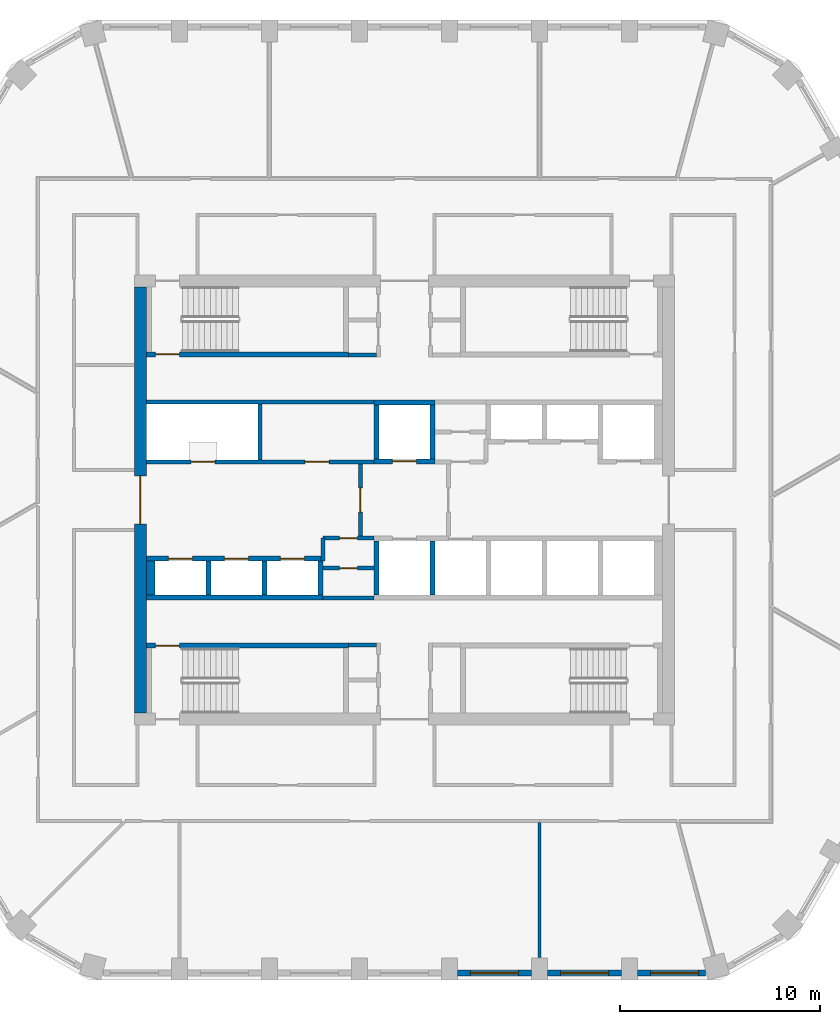
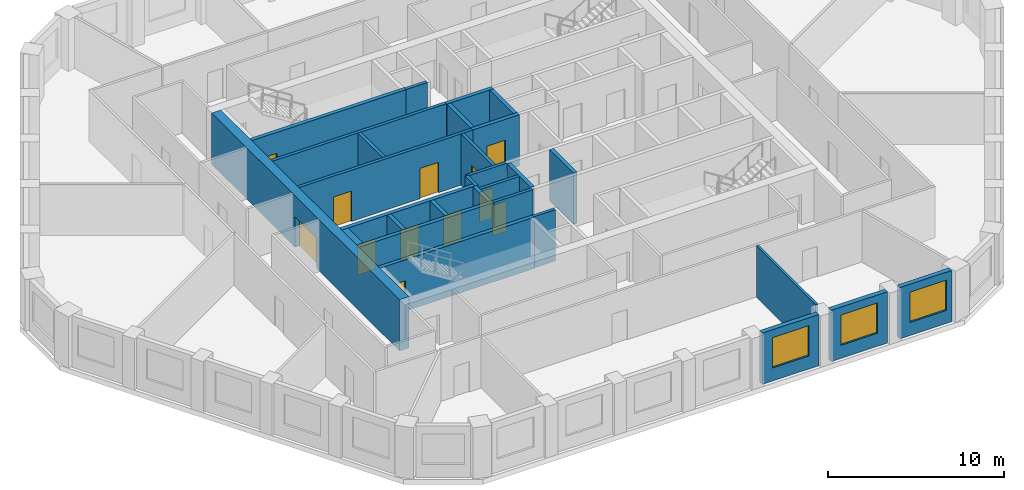
# One storey, part 3 of 13: 29 walls, 12 doors, 3 windows, 15 openings.
"""IFC4 building model written with IfcOpenShell, lengths in metres."""

from ifc_helpers import new_model, si_unit, direction, frame, frame_2d, origin, place, context, subcontext, project, spatial, polyline, rectangle, outline, extrude, material, layer, layer_set, type_object, element, fill, save


model = new_model("IFC4")

# Units and contexts
model_context = context("Model", 3, precision=1e-05, world=origin(), true_north=direction((0.0, 1.0)))
body_context = subcontext(model_context, "Body", "Model", "MODEL_VIEW")
ifc_project = project(units=[si_unit("LENGTHUNIT", "METRE"), si_unit("AREAUNIT", "SQUARE_METRE"), si_unit("VOLUMEUNIT", "CUBIC_METRE"), si_unit("PLANEANGLEUNIT", "RADIAN"), si_unit("MASSUNIT", "GRAM", prefix="KILO")], contexts=[model_context])

# Site, building, storey
site_placement = place(None, origin())
site = spatial("IfcSite", under=ifc_project, at=site_placement, CompositionType="ELEMENT")
building_placement = place(site_placement, origin())
building = spatial("IfcBuilding", under=site, at=building_placement, Name="Dhurran Vertical Campus", CompositionType="ELEMENT")
storey_placement = place(building_placement, frame((0.0, 0.0, 187.800048828125)))
storey = spatial("IfcBuildingStorey", under=building, at=storey_placement, Name="L46", CompositionType="ELEMENT", Elevation=187.800048828125)

# Wall, opening, window
ifc_material_1 = material(Name="Precast concrete C50/60", Category="concrete")
ifc_layer_1 = layer(ifc_material_1, 0.300048828125)
ifc_layer_set_1 = layer_set([ifc_layer_1], Name="Precast concrete C50/60")
wall_type_1 = type_object("IfcWallType", Name="Precast spandrel wall 300", PredefinedType="SOLIDWALL", material=ifc_layer_set_1)
wall_1_placement = place(storey_placement, frame((2.650390625, -23.635498046875, 0.0), z_axis=(0.0, 0.0, 1.0), x_axis=(1.0, 0.0, 0.0)))
wall_1 = element("IfcWall", 1, at=wall_1_placement, inside=storey, type_object=wall_type_1, Name="EW1 L46.04", PredefinedType="SOLIDWALL", context=body_context, shape_type="SweptSolid", body=[
    extrude(rectangle(XDim=3.69921875, YDim=0.300048828125, at=frame_2d((1.849609375, 0.0))), origin(), (0.0, 0.0, 1.0), 3.550048828125),
])
opening_1_placement = place(wall_1_placement, frame((0.6494140625, 0.0, 0.89990234375)))
opening_1 = element("IfcOpeningElement", 2, at=opening_1_placement, cuts=wall_1, Name="Opening WT1", PredefinedType="OPENING", context=body_context, shape_type="SweptSolid", body=[
    extrude(rectangle(XDim=2.39990234375, YDim=2.10009765625, at=frame_2d((1.199951171875, 1.050048828125))), frame((0.0, 0.159912109375, 0.0), z_axis=(0.0, -1.0, 0.0), x_axis=(1.0, 0.0, 0.0)), (0.0, 0.0, 1.0), 0.320068359375),
])
ifc_material_2 = material(Name="Aluminium frame with solar-control glass", Category="aluminium")
window_type = type_object("IfcWindowType", Name="Punched window 2400 x 2100", PartitioningType="SINGLE_PANEL", PredefinedType="WINDOW", material=ifc_material_2)
window_1_placement = place(opening_1_placement, origin())
window_1 = element("IfcWindow", 3, at=window_1_placement, inside=storey, type_object=window_type, Name="WT1 L46.04", OverallHeight=2.10009765625, OverallWidth=2.39990234375, PartitioningType="SINGLE_PANEL", PredefinedType="WINDOW", context=body_context, shape_type="SweptSolid", body=[
    extrude(rectangle(XDim=2.39990234375, YDim=2.10009765625, at=frame_2d((1.199951171875, 1.050048828125))), frame((0.0, 0.030029296875, 0.0), z_axis=(0.0, -1.0, 0.0), x_axis=(1.0, 0.0, 0.0)), (0.0, 0.0, 1.0), 0.06005859375),
])
fill(opening_1, window_1)

wall_2_placement = place(storey_placement, frame((7.150390625, -23.635498046875, 0.0), z_axis=(0.0, 0.0, 1.0), x_axis=(1.0, 0.0, 0.0)))
wall_2 = element("IfcWall", 4, at=wall_2_placement, inside=storey, type_object=wall_type_1, Name="EW1 L46.05", PredefinedType="SOLIDWALL", context=body_context, shape_type="SweptSolid", body=[
    extrude(rectangle(XDim=3.69921875, YDim=0.300048828125, at=frame_2d((1.849609375, 0.0))), origin(), (0.0, 0.0, 1.0), 3.550048828125),
])
opening_2_placement = place(wall_2_placement, frame((0.6494140625, 0.0, 0.89990234375)))
opening_2 = element("IfcOpeningElement", 5, at=opening_2_placement, cuts=wall_2, Name="Opening WT1", PredefinedType="OPENING", context=body_context, shape_type="SweptSolid", body=[
    extrude(rectangle(XDim=2.39990234375, YDim=2.10009765625, at=frame_2d((1.199951171875, 1.050048828125))), frame((0.0, 0.159912109375, 0.0), z_axis=(0.0, -1.0, 0.0), x_axis=(1.0, 0.0, 0.0)), (0.0, 0.0, 1.0), 0.320068359375),
])
window_2_placement = place(opening_2_placement, origin())
window_2 = element("IfcWindow", 6, at=window_2_placement, inside=storey, type_object=window_type, Name="WT1 L46.05", OverallHeight=2.10009765625, OverallWidth=2.39990234375, PartitioningType="SINGLE_PANEL", PredefinedType="WINDOW", context=body_context, shape_type="SweptSolid", body=[
    extrude(rectangle(XDim=2.39990234375, YDim=2.10009765625, at=frame_2d((1.199951171875, 1.050048828125))), frame((0.0, 0.030029296875, 0.0), z_axis=(0.0, -1.0, 0.0), x_axis=(1.0, 0.0, 0.0)), (0.0, 0.0, 1.0), 0.06005859375),
])
fill(opening_2, window_2)

wall_3_placement = place(storey_placement, frame((11.650390625, -23.635498046875, 0.0), z_axis=(0.0, 0.0, 1.0), x_axis=(1.0, 0.0, 0.0)))
wall_3 = element("IfcWall", 7, at=wall_3_placement, inside=storey, type_object=wall_type_1, Name="EW1 L46.06", PredefinedType="SOLIDWALL", context=body_context, shape_type="SweptSolid", body=[
    extrude(rectangle(XDim=3.39599609375, YDim=0.300048828125, at=frame_2d((1.697998046875, 0.0))), origin(), (0.0, 0.0, 1.0), 3.550048828125),
])
opening_3_placement = place(wall_3_placement, frame((0.6494140625, 0.0, 0.89990234375)))
opening_3 = element("IfcOpeningElement", 8, at=opening_3_placement, cuts=wall_3, Name="Opening WT1", PredefinedType="OPENING", context=body_context, shape_type="SweptSolid", body=[
    extrude(rectangle(XDim=2.39990234375, YDim=2.10009765625, at=frame_2d((1.199951171875, 1.050048828125))), frame((0.0, 0.159912109375, 0.0), z_axis=(0.0, -1.0, 0.0), x_axis=(1.0, 0.0, 0.0)), (0.0, 0.0, 1.0), 0.320068359375),
])
window_3_placement = place(opening_3_placement, origin())
window_3 = element("IfcWindow", 9, at=window_3_placement, inside=storey, type_object=window_type, Name="WT1 L46.06", OverallHeight=2.10009765625, OverallWidth=2.39990234375, PartitioningType="SINGLE_PANEL", PredefinedType="WINDOW", context=body_context, shape_type="SweptSolid", body=[
    extrude(rectangle(XDim=2.39990234375, YDim=2.10009765625, at=frame_2d((1.199951171875, 1.050048828125))), frame((0.0, 0.030029296875, 0.0), z_axis=(0.0, -1.0, 0.0), x_axis=(1.0, 0.0, 0.0)), (0.0, 0.0, 1.0), 0.06005859375),
])
fill(opening_3, window_3)

# Wall, opening, door
ifc_material_3 = material(Name="Concrete C50/60", Category="concrete")
ifc_layer_2 = layer(ifc_material_3, 0.60009765625)
ifc_layer_set_2 = layer_set([ifc_layer_2], Name="Concrete C50/60")
wall_type_2 = type_object("IfcWallType", Name="co-CORE-WALL-C2-600", PredefinedType="SHEAR", material=ifc_layer_set_2)
wall_4_placement = place(storey_placement, frame((-13.199951171875, -10.64990234375, 0.0), z_axis=(0.0, 0.0, 1.0), x_axis=(0.0, 1.0, 0.0)))
wall_4 = element("IfcWall", 10, at=wall_4_placement, inside=storey, type_object=wall_type_2, Name="Core wall W L46", PredefinedType="SHEAR", context=body_context, shape_type="SweptSolid", body=[
    extrude(rectangle(XDim=21.2998046875, YDim=0.60009765625, at=frame_2d((10.64990234375, 0.0))), origin(), (0.0, 0.0, 1.0), 3.550048828125),
])
opening_4_placement = place(wall_4_placement, frame((9.449951171875, 0.0, 0.0)))
opening_4 = element("IfcOpeningElement", 11, at=opening_4_placement, cuts=wall_4, Name="Opening CL1", PredefinedType="OPENING", context=body_context, shape_type="SweptSolid", body=[
    extrude(rectangle(XDim=2.39990234375, YDim=2.10009765625, at=frame_2d((1.199951171875, 1.050048828125))), frame((0.0, 0.31005859375, 0.0), z_axis=(0.0, -1.0, 0.0), x_axis=(1.0, 0.0, 0.0)), (0.0, 0.0, 1.0), 0.6201171875),
])
ifc_material_4 = material(Name="Fire-rated glazed door set")
door_type_1 = type_object("IfcDoorType", Name="co-D-LOBBY 2400x2100", OperationType="DOUBLE_DOOR_DOUBLE_SWING", PredefinedType="DOOR", material=ifc_material_4)
door_1_placement = place(opening_4_placement, origin())
door_1 = element("IfcDoor", 12, at=door_1_placement, inside=storey, type_object=door_type_1, Name="Lift lobby door W L46", OperationType="DOUBLE_DOOR_DOUBLE_SWING", OverallHeight=2.10009765625, OverallWidth=2.39990234375, PredefinedType="DOOR", context=body_context, shape_type="SweptSolid", body=[
    extrude(rectangle(XDim=2.39990234375, YDim=2.10009765625, at=frame_2d((1.199951171875, 1.050048828125))), frame((0.0, 0.02490234375, 0.0), z_axis=(0.0, -1.0, 0.0), x_axis=(1.0, 0.0, 0.0)), (0.0, 0.0, 1.0), 0.050048828125),
])
fill(opening_4, door_1)

ifc_material_5 = material(Name="Fire-rated masonry blockwork", Category="masonry")
ifc_layer_3 = layer(ifc_material_5, 0.199951171875)
ifc_layer_set_3 = layer_set([ifc_layer_3], Name="Fire-rated masonry blockwork")
wall_type_3 = type_object("IfcWallType", Name="co-FIRE-PARTITION-200", PredefinedType="PARTITIONING", material=ifc_layer_set_3)
wall_5_placement = place(storey_placement, frame((-2.199951171875, -1.800048828125, 0.0), z_axis=(0.0, 0.0, 1.0), x_axis=(0.0, 1.0, 0.0)))
wall_5 = element("IfcWall", 13, at=wall_5_placement, inside=storey, type_object=wall_type_3, Name="Firefighting lobby wall W L46", PredefinedType="PARTITIONING", context=body_context, shape_type="SweptSolid", body=[
    extrude(rectangle(XDim=3.60009765625, YDim=0.199951171875, at=frame_2d((1.800048828125, 0.0))), origin(), (0.0, 0.0, 1.0), 3.550048828125),
])
opening_5_placement = place(wall_5_placement, frame((1.199951171875, 0.0, 0.0)))
opening_5 = element("IfcOpeningElement", 14, at=opening_5_placement, cuts=wall_5, Name="Opening FL1", PredefinedType="OPENING", context=body_context, shape_type="SweptSolid", body=[
    extrude(rectangle(XDim=1.199951171875, YDim=2.10009765625, at=frame_2d((0.60009765625, 1.050048828125))), frame((0.0, 0.10986328125, 0.0), z_axis=(0.0, -1.0, 0.0), x_axis=(1.0, 0.0, 0.0)), (0.0, 0.0, 1.0), 0.219970703125),
])
ifc_material_6 = material(Name="Fire-rated steel door set", Category="steel")
door_type_2 = type_object("IfcDoorType", Name="co-D-FFLOBBY 1200x2100", OperationType="SINGLE_SWING_LEFT", PredefinedType="DOOR", material=ifc_material_6)
door_2_placement = place(opening_5_placement, origin())
door_2 = element("IfcDoor", 15, at=door_2_placement, inside=storey, type_object=door_type_2, Name="Firefighting lobby door W L46", OperationType="SINGLE_SWING_LEFT", OverallHeight=2.10009765625, OverallWidth=1.199951171875, PredefinedType="DOOR", context=body_context, shape_type="SweptSolid", body=[
    extrude(rectangle(XDim=1.199951171875, YDim=2.10009765625, at=frame_2d((0.60009765625, 1.050048828125))), frame((0.0, 0.02490234375, 0.0), z_axis=(0.0, -1.0, 0.0), x_axis=(1.0, 0.0, 0.0)), (0.0, 0.0, 1.0), 0.050048828125),
])
fill(opening_5, door_2)

# Walls
for number, where, z_axis, x_axis, name in (
    (16, (-2.800048828125, 7.25, 0.0), (0.0, 0.0, 1.0), (1.0, 0.0, 0.0), "Core partition sl-NW-S L46"),
    (17, (-2.800048828125, -7.25, 0.0), (0.0, 0.0, 1.0), (1.0, 0.0, 0.0), "Core partition sl-SW-S L46"),
):
    element("IfcWall", number, at=place(storey_placement, frame(where, z_axis=z_axis, x_axis=x_axis)), inside=storey, type_object=wall_type_3, Name=name, PredefinedType="PARTITIONING", context=body_context, shape_type="SweptSolid", body=[
        extrude(rectangle(XDim=1.400146484375, YDim=0.199951171875, at=frame_2d((0.7001953125, 0.0))), origin(), (0.0, 0.0, 1.0), 3.550048828125),
    ])
wall_6_placement = place(storey_placement, frame((-7.21240234375, 2.0, 0.0), z_axis=(0.0, 0.0, 1.0), x_axis=(0.0, 1.0, 0.0)))
element("IfcWall", 18, at=wall_6_placement, inside=storey, type_object=wall_type_3, Name="Core partition fr-N0-cut0 L46", PredefinedType="PARTITIONING", context=body_context, shape_type="SweptSolid", body=[
    extrude(rectangle(XDim=2.800048828125, YDim=0.199951171875, at=frame_2d((1.39990234375, 0.0))), origin(), (0.0, 0.0, 1.0), 3.550048828125),
])

# Wall, openings, doors
wall_7_placement = place(storey_placement, frame((-12.89990234375, 1.89990234375, 0.0), z_axis=(0.0, 0.0, 1.0), x_axis=(1.0, 0.0, 0.0)))
wall_7 = element("IfcWall", 19, at=wall_7_placement, inside=storey, type_object=wall_type_3, Name="Core partition fr-N0-f L46", PredefinedType="PARTITIONING", context=body_context, shape_type="SweptSolid", body=[
    extrude(rectangle(XDim=11.375, YDim=0.199951171875, at=frame_2d((5.6875, 0.0))), origin(), (0.0, 0.0, 1.0), 3.550048828125),
])
opening_6_placement = place(wall_7_placement, frame((2.243896484375, 0.0, 0.0)))
opening_6 = element("IfcOpeningElement", 20, at=opening_6_placement, cuts=wall_7, Name="Opening T13-C8", PredefinedType="OPENING", context=body_context, shape_type="SweptSolid", body=[
    extrude(rectangle(XDim=1.199951171875, YDim=2.10009765625, at=frame_2d((0.60009765625, 1.050048828125))), frame((0.0, 0.10986328125, 0.0), z_axis=(0.0, -1.0, 0.0), x_axis=(1.0, 0.0, 0.0)), (0.0, 0.0, 1.0), 0.219970703125),
])
opening_7_placement = place(wall_7_placement, frame((7.931396484375, 0.0, 0.0)))
opening_7 = element("IfcOpeningElement", 21, at=opening_7_placement, cuts=wall_7, Name="Opening T13-C9", PredefinedType="OPENING", context=body_context, shape_type="SweptSolid", body=[
    extrude(rectangle(XDim=1.199951171875, YDim=2.10009765625, at=frame_2d((0.60009765625, 1.050048828125))), frame((0.0, 0.10986328125, 0.0), z_axis=(0.0, -1.0, 0.0), x_axis=(1.0, 0.0, 0.0)), (0.0, 0.0, 1.0), 0.219970703125),
])
ifc_material_7 = material(Name="Fire-rated steel door set", Category="steel")
door_type_3 = type_object("IfcDoorType", Name="co-D-ROOM-PASSAGE 1200x2100", OperationType="SINGLE_SWING_RIGHT", PredefinedType="DOOR", material=ifc_material_7)
door_3_placement = place(opening_6_placement, origin())
door_3 = element("IfcDoor", 22, at=door_3_placement, inside=storey, type_object=door_type_3, Name="Electrical riser door L46", OperationType="SINGLE_SWING_RIGHT", OverallHeight=2.10009765625, OverallWidth=1.199951171875, PredefinedType="DOOR", context=body_context, shape_type="SweptSolid", body=[
    extrude(rectangle(XDim=1.199951171875, YDim=2.10009765625, at=frame_2d((0.60009765625, 1.050048828125))), frame((0.0, 0.02490234375, 0.0), z_axis=(0.0, -1.0, 0.0), x_axis=(1.0, 0.0, 0.0)), (0.0, 0.0, 1.0), 0.050048828125),
])
fill(opening_6, door_3)
door_4_placement = place(opening_7_placement, origin())
door_4 = element("IfcDoor", 23, at=door_4_placement, inside=storey, type_object=door_type_3, Name="Server room door L46", OperationType="SINGLE_SWING_RIGHT", OverallHeight=2.10009765625, OverallWidth=1.199951171875, PredefinedType="DOOR", context=body_context, shape_type="SweptSolid", body=[
    extrude(rectangle(XDim=1.199951171875, YDim=2.10009765625, at=frame_2d((0.60009765625, 1.050048828125))), frame((0.0, 0.02490234375, 0.0), z_axis=(0.0, -1.0, 0.0), x_axis=(1.0, 0.0, 0.0)), (0.0, 0.0, 1.0), 0.050048828125),
])
fill(opening_7, door_4)

# Wall
wall_8_placement = place(storey_placement, frame((-12.89990234375, 4.89990234375, 0.0), z_axis=(0.0, 0.0, 1.0), x_axis=(1.0, 0.0, 0.0)))
element("IfcWall", 24, at=wall_8_placement, inside=storey, type_object=wall_type_3, Name="Core partition fr-N0-b L46", PredefinedType="PARTITIONING", context=body_context, shape_type="SweptSolid", body=[
    extrude(rectangle(XDim=11.375, YDim=0.199951171875, at=frame_2d((5.6875, 0.0))), origin(), (0.0, 0.0, 1.0), 3.550048828125),
])

# Wall, opening, door
wall_9_placement = place(storey_placement, frame((-4.074951171875, -3.39990234375, 0.0), z_axis=(0.0, 0.0, 1.0), x_axis=(1.0, 0.0, 0.0)))
wall_9 = element("IfcWall", 25, at=wall_9_placement, inside=storey, type_object=wall_type_3, Name="Core partition fr-S0-c L46", PredefinedType="PARTITIONING", context=body_context, shape_type="SweptSolid", body=[
    extrude(rectangle(XDim=2.550048828125, YDim=0.199951171875, at=frame_2d((1.27490234375, 0.0))), origin(), (0.0, 0.0, 1.0), 3.550048828125),
])
opening_8_placement = place(wall_9_placement, frame((0.824951171875, 0.0, 0.0)))
opening_8 = element("IfcOpeningElement", 26, at=opening_8_placement, cuts=wall_9, Name="Opening T13-C12", PredefinedType="OPENING", context=body_context, shape_type="SweptSolid", body=[
    extrude(rectangle(XDim=0.89990234375, YDim=2.10009765625, at=frame_2d((0.449951171875, 1.050048828125))), frame((0.0, 0.10986328125, 0.0), z_axis=(0.0, -1.0, 0.0), x_axis=(1.0, 0.0, 0.0)), (0.0, 0.0, 1.0), 0.219970703125),
])
ifc_material_8 = material(Name="Fire-rated timber door set", Category="wood")
door_type_4 = type_object("IfcDoorType", Name="co-D-ROOM 900x2100", OperationType="SINGLE_SWING_LEFT", PredefinedType="DOOR", material=ifc_material_8)
door_5_placement = place(opening_8_placement, origin())
door_5 = element("IfcDoor", 27, at=door_5_placement, inside=storey, type_object=door_type_4, Name="Server room door L46", OperationType="SINGLE_SWING_LEFT", OverallHeight=2.10009765625, OverallWidth=0.89990234375, PredefinedType="DOOR", context=body_context, shape_type="SweptSolid", body=[
    extrude(rectangle(XDim=0.89990234375, YDim=2.10009765625, at=frame_2d((0.449951171875, 1.050048828125))), frame((0.0, 0.02490234375, 0.0), z_axis=(0.0, -1.0, 0.0), x_axis=(1.0, 0.0, 0.0)), (0.0, 0.0, 1.0), 0.050048828125),
])
fill(opening_8, door_5)

wall_10_placement = place(storey_placement, frame((-4.074951171875, -1.89990234375, 0.0), z_axis=(0.0, 0.0, 1.0), x_axis=(1.0, 0.0, 0.0)))
wall_10 = element("IfcWall", 28, at=wall_10_placement, inside=storey, type_object=wall_type_3, Name="Core partition fr-S0-f L46", PredefinedType="PARTITIONING", context=body_context, shape_type="SweptSolid", body=[
    extrude(rectangle(XDim=2.550048828125, YDim=0.199951171875, at=frame_2d((1.27490234375, 0.0))), origin(), (0.0, 0.0, 1.0), 3.550048828125),
])
opening_9_placement = place(wall_10_placement, frame((0.824951171875, 0.0, 0.0)))
opening_9 = element("IfcOpeningElement", 29, at=opening_9_placement, cuts=wall_10, Name="Opening T13-C13", PredefinedType="OPENING", context=body_context, shape_type="SweptSolid", body=[
    extrude(rectangle(XDim=0.89990234375, YDim=2.10009765625, at=frame_2d((0.449951171875, 1.050048828125))), frame((0.0, 0.10986328125, 0.0), z_axis=(0.0, -1.0, 0.0), x_axis=(1.0, 0.0, 0.0)), (0.0, 0.0, 1.0), 0.219970703125),
])
door_6_placement = place(opening_9_placement, origin())
door_6 = element("IfcDoor", 30, at=door_6_placement, inside=storey, type_object=door_type_4, Name="Print room door L46", OperationType="SINGLE_SWING_LEFT", OverallHeight=2.10009765625, OverallWidth=0.89990234375, PredefinedType="DOOR", context=body_context, shape_type="SweptSolid", body=[
    extrude(rectangle(XDim=0.89990234375, YDim=2.10009765625, at=frame_2d((0.449951171875, 1.050048828125))), frame((0.0, 0.02490234375, 0.0), z_axis=(0.0, -1.0, 0.0), x_axis=(1.0, 0.0, 0.0)), (0.0, 0.0, 1.0), 0.050048828125),
])
fill(opening_9, door_6)

# Walls
wall_11_placement = place(storey_placement, frame((-4.074951171875, -4.89990234375, 0.0), z_axis=(0.0, 0.0, 1.0), x_axis=(1.0, 0.0, 0.0)))
element("IfcWall", 31, at=wall_11_placement, inside=storey, type_object=wall_type_3, Name="Core partition fr-S0-b L46", PredefinedType="PARTITIONING", context=body_context, shape_type="SweptSolid", body=[
    extrude(rectangle(XDim=2.550048828125, YDim=0.199951171875, at=frame_2d((1.27490234375, 0.0))), origin(), (0.0, 0.0, 1.0), 3.550048828125),
])
wall_12_placement = place(storey_placement, frame((-4.074951171875, -1.89990234375, 0.0), z_axis=(0.0, 0.0, 1.0), x_axis=(0.0, -1.0, 0.0)))
element("IfcWall", 32, at=wall_12_placement, inside=storey, type_object=wall_type_3, Name="Core partition fr-S0-n0 L46", PredefinedType="PARTITIONING", context=body_context, shape_type="SweptSolid", body=[
    extrude(rectangle(XDim=1.150146484375, YDim=0.199951171875, at=frame_2d((0.5751953125, 0.0))), origin(), (0.0, 0.0, 1.0), 3.550048828125),
])

# Wall, opening, door
ifc_material_9 = material(Name="Concrete C50/60", Category="concrete")
ifc_layer_4 = layer(ifc_material_9, 0.25)
ifc_layer_set_4 = layer_set([ifc_layer_4], Name="Concrete C50/60")
wall_type_4 = type_object("IfcWallType", Name="co-SHAFT-FRONT-250", PredefinedType="SHEAR", material=ifc_layer_set_4)
wall_13_placement = place(storey_placement, frame((-1.52490234375, 1.925048828125, 0.0), z_axis=(0.0, 0.0, 1.0), x_axis=(1.0, 0.0, 0.0)))
wall_13 = element("IfcWall", 33, at=wall_13_placement, inside=storey, type_object=wall_type_4, Name="Lift landing wall N L46", PredefinedType="SHEAR", context=body_context, shape_type="SweptSolid", body=[
    extrude(rectangle(XDim=3.0498046875, YDim=0.25, at=frame_2d((1.52490234375, 0.0))), origin(), (0.0, 0.0, 1.0), 3.550048828125),
])
opening_10_placement = place(wall_13_placement, frame((0.925048828125, 0.0, 0.0)))
opening_10 = element("IfcOpeningElement", 34, at=opening_10_placement, cuts=wall_13, Name="Opening LD", PredefinedType="OPENING", context=body_context, shape_type="SweptSolid", body=[
    extrude(rectangle(XDim=1.199951171875, YDim=2.10009765625, at=frame_2d((0.60009765625, 1.050048828125))), frame((0.0, 0.135009765625, 0.0), z_axis=(0.0, -1.0, 0.0), x_axis=(1.0, 0.0, 0.0)), (0.0, 0.0, 1.0), 0.27001953125),
])
ifc_material_10 = material(Name="Stainless steel landing door", Category="steel")
door_type_5 = type_object("IfcDoorType", Name="co-D-LANDING 1200x2100", OperationType="DOUBLE_DOOR_SLIDING", PredefinedType="DOOR", material=ifc_material_10)
door_7_placement = place(opening_10_placement, origin())
door_7 = element("IfcDoor", 35, at=door_7_placement, inside=storey, type_object=door_type_5, Name="Landing door FF1 L46", OperationType="DOUBLE_DOOR_SLIDING", OverallHeight=2.10009765625, OverallWidth=1.199951171875, PredefinedType="DOOR", context=body_context, shape_type="SweptSolid", body=[
    extrude(rectangle(XDim=1.199951171875, YDim=2.10009765625, at=frame_2d((0.60009765625, 1.050048828125))), frame((0.0, 0.02490234375, 0.0), z_axis=(0.0, -1.0, 0.0), x_axis=(1.0, 0.0, 0.0)), (0.0, 0.0, 1.0), 0.050048828125),
])
fill(opening_10, door_7)

# Wall, openings, doors
wall_14_placement = place(storey_placement, frame((-12.89990234375, -2.925048828125, 0.0), z_axis=(0.0, 0.0, 1.0), x_axis=(1.0, 0.0, 0.0)))
wall_14 = element("IfcWall", 36, at=wall_14_placement, inside=storey, type_object=wall_type_4, Name="Lift landing wall S L46", PredefinedType="SHEAR", context=body_context, shape_type="SweptSolid", body=[
    extrude(rectangle(XDim=8.824951171875, YDim=0.25, at=frame_2d((4.41259765625, 0.0))), origin(), (0.0, 0.0, 1.0), 3.550048828125),
])
opening_11_placement = place(wall_14_placement, frame((1.10009765625, 0.0, 0.0)))
opening_11 = element("IfcOpeningElement", 37, at=opening_11_placement, cuts=wall_14, Name="Opening LD", PredefinedType="OPENING", context=body_context, shape_type="SweptSolid", body=[
    extrude(rectangle(XDim=1.199951171875, YDim=2.10009765625, at=frame_2d((0.60009765625, 1.050048828125))), frame((0.0, 0.135009765625, 0.0), z_axis=(0.0, -1.0, 0.0), x_axis=(1.0, 0.0, 0.0)), (0.0, 0.0, 1.0), 0.27001953125),
])
opening_12_placement = place(wall_14_placement, frame((3.89990234375, 0.0, 0.0)))
opening_12 = element("IfcOpeningElement", 38, at=opening_12_placement, cuts=wall_14, Name="Opening LD", PredefinedType="OPENING", context=body_context, shape_type="SweptSolid", body=[
    extrude(rectangle(XDim=1.199951171875, YDim=2.10009765625, at=frame_2d((0.60009765625, 1.050048828125))), frame((0.0, 0.135009765625, 0.0), z_axis=(0.0, -1.0, 0.0), x_axis=(1.0, 0.0, 0.0)), (0.0, 0.0, 1.0), 0.27001953125),
])
opening_13_placement = place(wall_14_placement, frame((6.699951171875, 0.0, 0.0)))
opening_13 = element("IfcOpeningElement", 39, at=opening_13_placement, cuts=wall_14, Name="Opening LD", PredefinedType="OPENING", context=body_context, shape_type="SweptSolid", body=[
    extrude(rectangle(XDim=1.199951171875, YDim=2.10009765625, at=frame_2d((0.60009765625, 1.050048828125))), frame((0.0, 0.135009765625, 0.0), z_axis=(0.0, -1.0, 0.0), x_axis=(1.0, 0.0, 0.0)), (0.0, 0.0, 1.0), 0.27001953125),
])
door_8_placement = place(opening_11_placement, origin())
door_8 = element("IfcDoor", 40, at=door_8_placement, inside=storey, type_object=door_type_5, Name="Landing door MR3 L46", OperationType="DOUBLE_DOOR_SLIDING", OverallHeight=2.10009765625, OverallWidth=1.199951171875, PredefinedType="DOOR", context=body_context, shape_type="SweptSolid", body=[
    extrude(rectangle(XDim=1.199951171875, YDim=2.10009765625, at=frame_2d((0.60009765625, 1.050048828125))), frame((0.0, 0.02490234375, 0.0), z_axis=(0.0, -1.0, 0.0), x_axis=(1.0, 0.0, 0.0)), (0.0, 0.0, 1.0), 0.050048828125),
])
fill(opening_11, door_8)
door_9_placement = place(opening_12_placement, origin())
door_9 = element("IfcDoor", 41, at=door_9_placement, inside=storey, type_object=door_type_5, Name="Landing door MR4 L46", OperationType="DOUBLE_DOOR_SLIDING", OverallHeight=2.10009765625, OverallWidth=1.199951171875, PredefinedType="DOOR", context=body_context, shape_type="SweptSolid", body=[
    extrude(rectangle(XDim=1.199951171875, YDim=2.10009765625, at=frame_2d((0.60009765625, 1.050048828125))), frame((0.0, 0.02490234375, 0.0), z_axis=(0.0, -1.0, 0.0), x_axis=(1.0, 0.0, 0.0)), (0.0, 0.0, 1.0), 0.050048828125),
])
fill(opening_12, door_9)
door_10_placement = place(opening_13_placement, origin())
door_10 = element("IfcDoor", 42, at=door_10_placement, inside=storey, type_object=door_type_5, Name="Landing door MR5 L46", OperationType="DOUBLE_DOOR_SLIDING", OverallHeight=2.10009765625, OverallWidth=1.199951171875, PredefinedType="DOOR", context=body_context, shape_type="SweptSolid", body=[
    extrude(rectangle(XDim=1.199951171875, YDim=2.10009765625, at=frame_2d((0.60009765625, 1.050048828125))), frame((0.0, 0.02490234375, 0.0), z_axis=(0.0, -1.0, 0.0), x_axis=(1.0, 0.0, 0.0)), (0.0, 0.0, 1.0), 0.050048828125),
])
fill(opening_13, door_10)

# Walls
ifc_material_11 = material(Name="Concrete C50/60", Category="concrete")
ifc_layer_5 = layer(ifc_material_11, 0.25)
ifc_layer_set_5 = layer_set([ifc_layer_5], Name="Concrete C50/60")
wall_type_5 = type_object("IfcWallType", Name="co-SHAFT-MASS-250", PredefinedType="SHEAR", material=ifc_layer_set_5)
wall_15_placement = place(storey_placement, origin())
element("IfcWall", 43, at=wall_15_placement, inside=storey, type_object=wall_type_5, Name="Lift shaft wall N L46 1", PredefinedType="SHEAR", context=body_context, shape_type="SweptSolid", body=[
    extrude(outline(polyline([(-1.52490234375, 4.75), (1.52490234375, 4.75), (1.52490234375, 5.0), (-1.52490234375, 5.0), (-1.52490234375, 4.75)])), origin(), (0.0, 0.0, 1.0), 3.550048828125),
])
wall_16_placement = place(storey_placement, origin())
element("IfcWall", 44, at=wall_16_placement, inside=storey, type_object=wall_type_5, Name="Lift shaft wall N L46 3", PredefinedType="SHEAR", context=body_context, shape_type="SweptSolid", body=[
    extrude(outline(polyline([(-1.52490234375, 2.050048828125), (-1.27490234375, 2.050048828125), (-1.27490234375, 4.75), (-1.52490234375, 4.75), (-1.52490234375, 2.050048828125)])), origin(), (0.0, 0.0, 1.0), 3.550048828125),
])
wall_17_placement = place(storey_placement, origin())
element("IfcWall", 45, at=wall_17_placement, inside=storey, type_object=wall_type_5, Name="Lift shaft wall N L46 4", PredefinedType="SHEAR", context=body_context, shape_type="SweptSolid", body=[
    extrude(outline(polyline([(1.27490234375, 2.050048828125), (1.52490234375, 2.050048828125), (1.52490234375, 4.75), (1.27490234375, 4.75), (1.27490234375, 2.050048828125)])), origin(), (0.0, 0.0, 1.0), 3.550048828125),
])
wall_18_placement = place(storey_placement, origin())
element("IfcWall", 46, at=wall_18_placement, inside=storey, type_object=wall_type_5, Name="Lift shaft wall S L46 1", PredefinedType="SHEAR", context=body_context, shape_type="SweptSolid", body=[
    extrude(outline(polyline([(-12.89990234375, -5.0), (-4.074951171875, -5.0), (-4.074951171875, -4.75), (-12.89990234375, -4.75), (-12.89990234375, -5.0)])), origin(), (0.0, 0.0, 1.0), 3.550048828125),
])
wall_19_placement = place(storey_placement, origin())
element("IfcWall", 47, at=wall_19_placement, inside=storey, type_object=wall_type_5, Name="Lift shaft wall S L46 3", PredefinedType="SHEAR", context=body_context, shape_type="SweptSolid", body=[
    extrude(outline(polyline([(-12.89990234375, -4.75), (-12.47509765625, -4.75), (-12.47509765625, -3.050048828125), (-12.89990234375, -3.050048828125), (-12.89990234375, -4.75)])), origin(), (0.0, 0.0, 1.0), 3.550048828125),
])
wall_20_placement = place(storey_placement, origin())
element("IfcWall", 48, at=wall_20_placement, inside=storey, type_object=wall_type_5, Name="Lift shaft wall S L46 4", PredefinedType="SHEAR", context=body_context, shape_type="SweptSolid", body=[
    extrude(outline(polyline([(-9.925048828125, -4.75), (-9.675048828125, -4.75), (-9.675048828125, -3.050048828125), (-9.925048828125, -3.050048828125), (-9.925048828125, -4.75)])), origin(), (0.0, 0.0, 1.0), 3.550048828125),
])
wall_21_placement = place(storey_placement, origin())
element("IfcWall", 49, at=wall_21_placement, inside=storey, type_object=wall_type_5, Name="Lift shaft wall S L46 5", PredefinedType="SHEAR", context=body_context, shape_type="SweptSolid", body=[
    extrude(outline(polyline([(-7.125, -4.75), (-6.875, -4.75), (-6.875, -3.050048828125), (-7.125, -3.050048828125), (-7.125, -4.75)])), origin(), (0.0, 0.0, 1.0), 3.550048828125),
])
wall_22_placement = place(storey_placement, origin())
element("IfcWall", 50, at=wall_22_placement, inside=storey, type_object=wall_type_5, Name="Lift shaft wall S L46 6", PredefinedType="SHEAR", context=body_context, shape_type="SweptSolid", body=[
    extrude(outline(polyline([(-4.324951171875, -4.75), (-4.074951171875, -4.75), (-4.074951171875, -3.050048828125), (-4.324951171875, -3.050048828125), (-4.324951171875, -4.75)])), origin(), (0.0, 0.0, 1.0), 3.550048828125),
])
wall_23_placement = place(storey_placement, origin())
element("IfcWall", 51, at=wall_23_placement, inside=storey, type_object=wall_type_5, Name="Lift shaft wall S L46 7", PredefinedType="SHEAR", context=body_context, shape_type="SweptSolid", body=[
    extrude(outline(polyline([(-1.52490234375, -4.75), (-1.27490234375, -4.75), (-1.27490234375, -2.050048828125), (-1.52490234375, -2.050048828125), (-1.52490234375, -4.75)])), origin(), (0.0, 0.0, 1.0), 3.550048828125),
])
wall_24_placement = place(storey_placement, origin())
element("IfcWall", 52, at=wall_24_placement, inside=storey, type_object=wall_type_5, Name="Lift shaft wall S L46 8", PredefinedType="SHEAR", context=body_context, shape_type="SweptSolid", body=[
    extrude(outline(polyline([(1.27490234375, -4.75), (1.52490234375, -4.75), (1.52490234375, -2.050048828125), (1.27490234375, -2.050048828125), (1.27490234375, -4.75)])), origin(), (0.0, 0.0, 1.0), 3.550048828125),
])

# Wall, opening, door
ifc_material_12 = material(Name="Concrete C40/50", Category="concrete")
ifc_layer_6 = layer(ifc_material_12, 0.25)
ifc_layer_set_6 = layer_set([ifc_layer_6], Name="Concrete C40/50")
wall_type_6 = type_object("IfcWallType", Name="co-STAIR-WALL-250", PredefinedType="SHEAR", material=ifc_layer_set_6)
wall_25_placement = place(storey_placement, frame((-12.89990234375, 7.27490234375, 0.0), z_axis=(0.0, 0.0, 1.0), x_axis=(1.0, 0.0, 0.0)))
wall_25 = element("IfcWall", 53, at=wall_25_placement, inside=storey, type_object=wall_type_6, Name="Stair ST1 enclosure wall L46", PredefinedType="SHEAR", context=body_context, shape_type="SweptSolid", body=[
    extrude(rectangle(XDim=10.099853515625, YDim=0.25, at=frame_2d((5.0498046875, 0.0))), origin(), (0.0, 0.0, 1.0), 3.550048828125),
])
opening_14_placement = place(wall_25_placement, frame((0.449951171875, 0.0, 0.0)))
opening_14 = element("IfcOpeningElement", 54, at=opening_14_placement, cuts=wall_25, Name="Opening SD1", PredefinedType="OPENING", context=body_context, shape_type="SweptSolid", body=[
    extrude(rectangle(XDim=1.199951171875, YDim=2.10009765625, at=frame_2d((0.60009765625, 1.050048828125))), frame((0.0, 0.135009765625, 0.0), z_axis=(0.0, -1.0, 0.0), x_axis=(1.0, 0.0, 0.0)), (0.0, 0.0, 1.0), 0.27001953125),
])
ifc_material_13 = material(Name="Fire-rated steel door set", Category="steel")
door_type_6 = type_object("IfcDoorType", Name="co-D-STAIR 1200x2100", OperationType="SINGLE_SWING_LEFT", PredefinedType="DOOR", material=ifc_material_13)
door_11_placement = place(opening_14_placement, origin())
door_11 = element("IfcDoor", 55, at=door_11_placement, inside=storey, type_object=door_type_6, Name="Stair ST1 door L46", OperationType="SINGLE_SWING_LEFT", OverallHeight=2.10009765625, OverallWidth=1.199951171875, PredefinedType="DOOR", context=body_context, shape_type="SweptSolid", body=[
    extrude(rectangle(XDim=1.199951171875, YDim=2.10009765625, at=frame_2d((0.60009765625, 1.050048828125))), frame((0.0, 0.02490234375, 0.0), z_axis=(0.0, -1.0, 0.0), x_axis=(1.0, 0.0, 0.0)), (0.0, 0.0, 1.0), 0.050048828125),
])
fill(opening_14, door_11)

wall_26_placement = place(storey_placement, frame((-12.89990234375, -7.27490234375, 0.0), z_axis=(0.0, 0.0, 1.0), x_axis=(1.0, 0.0, 0.0)))
wall_26 = element("IfcWall", 56, at=wall_26_placement, inside=storey, type_object=wall_type_6, Name="Stair ST3 enclosure wall L46", PredefinedType="SHEAR", context=body_context, shape_type="SweptSolid", body=[
    extrude(rectangle(XDim=10.099853515625, YDim=0.25, at=frame_2d((5.0498046875, 0.0))), origin(), (0.0, 0.0, 1.0), 3.550048828125),
])
opening_15_placement = place(wall_26_placement, frame((0.449951171875, 0.0, 0.0)))
opening_15 = element("IfcOpeningElement", 57, at=opening_15_placement, cuts=wall_26, Name="Opening SD3", PredefinedType="OPENING", context=body_context, shape_type="SweptSolid", body=[
    extrude(rectangle(XDim=1.199951171875, YDim=2.10009765625, at=frame_2d((0.60009765625, 1.050048828125))), frame((0.0, 0.135009765625, 0.0), z_axis=(0.0, -1.0, 0.0), x_axis=(1.0, 0.0, 0.0)), (0.0, 0.0, 1.0), 0.27001953125),
])
door_12_placement = place(opening_15_placement, origin())
door_12 = element("IfcDoor", 58, at=door_12_placement, inside=storey, type_object=door_type_6, Name="Stair ST3 door L46", OperationType="SINGLE_SWING_LEFT", OverallHeight=2.10009765625, OverallWidth=1.199951171875, PredefinedType="DOOR", context=body_context, shape_type="SweptSolid", body=[
    extrude(rectangle(XDim=1.199951171875, YDim=2.10009765625, at=frame_2d((0.60009765625, 1.050048828125))), frame((0.0, 0.02490234375, 0.0), z_axis=(0.0, -1.0, 0.0), x_axis=(1.0, 0.0, 0.0)), (0.0, 0.0, 1.0), 0.050048828125),
])
fill(opening_15, door_12)

# Wall
ifc_material_14 = material(Name="Gypsum board partition on steel studs", Category="steel")
ifc_layer_7 = layer(ifc_material_14, 0.14990234375)
ifc_layer_set_7 = layer_set([ifc_layer_7], Name="Gypsum board partition on steel studs")
wall_type_7 = type_object("IfcWallType", Name="fl-PW-150 fixed partition", PredefinedType="PARTITIONING", material=ifc_layer_set_7)
wall_27_placement = place(storey_placement, frame((6.75, -16.125, 0.0), z_axis=(0.0, 0.0, 1.0), x_axis=(0.0, -1.0, 0.0)))
element("IfcWall", 59, at=wall_27_placement, inside=storey, type_object=wall_type_7, Name="Partition 46-38", PredefinedType="PARTITIONING", context=body_context, shape_type="SweptSolid", body=[
    extrude(rectangle(XDim=6.740478515625, YDim=0.14990234375, at=frame_2d((3.3701171875, 0.0))), origin(), (0.0, 0.0, 1.0), 3.550048828125),
])

save(model, "model.ifc")
